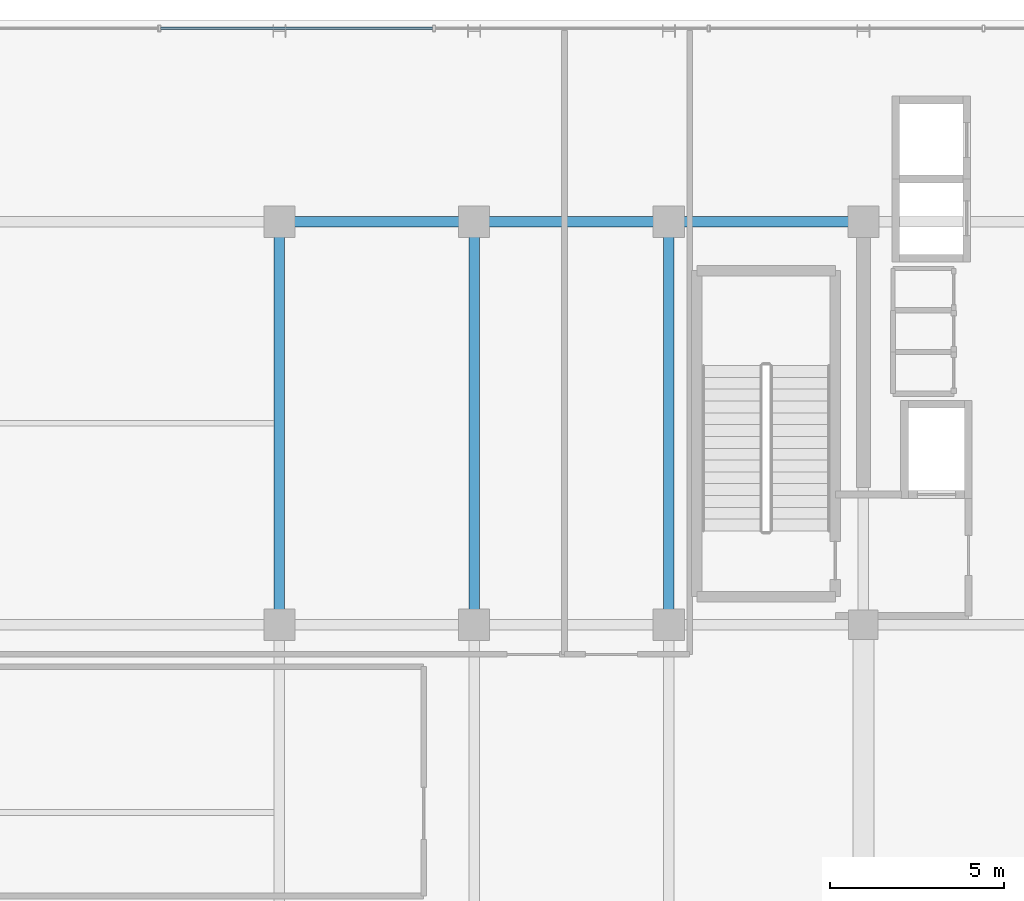
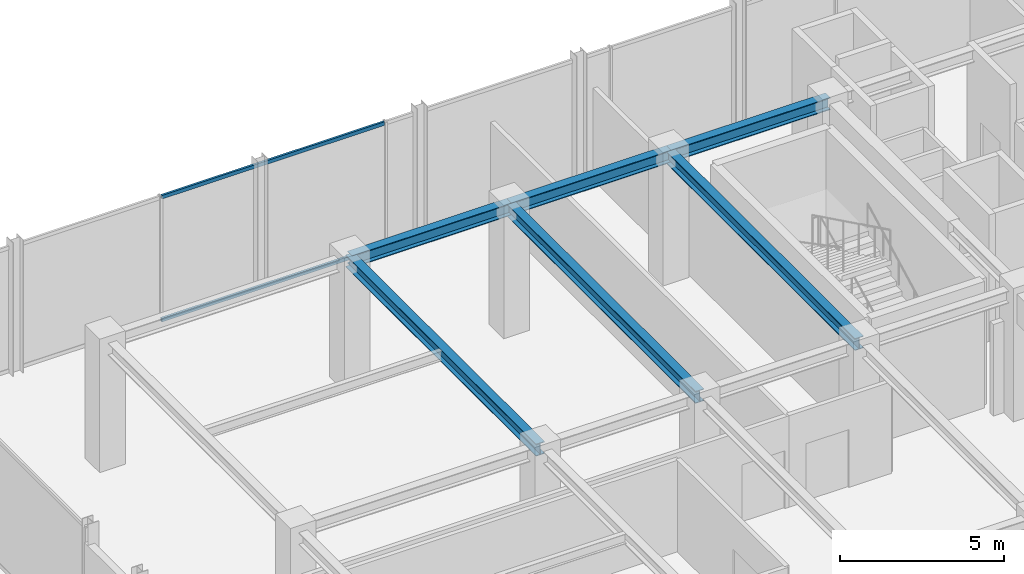
# One storey, part 18 of 28: 6 beams, 2 members, 1 element without a shape of its own.
"""IFC4 building model written with IfcOpenShell, lengths in metres."""

from ifc_helpers import new_model, si_unit, direction, frame, origin, origin_2d, place, context, subcontext, project, spatial, hollow_rectangle, i_section, extrude, source, transform, mapped, material, material_profile, profile_set, type_object, element, aggregate, save


model = new_model("IFC4")

# Units and contexts
model_context = context("Model", 3, precision=1e-05, world=origin(), true_north=direction((0.0, 1.0)))
body_context = subcontext(model_context, "Body", "Model", "MODEL_VIEW")
ifc_project = project(units=[si_unit("LENGTHUNIT", "METRE"), si_unit("AREAUNIT", "SQUARE_METRE"), si_unit("VOLUMEUNIT", "CUBIC_METRE"), si_unit("PLANEANGLEUNIT", "RADIAN"), si_unit("MASSUNIT", "GRAM", prefix="KILO")], contexts=[model_context])

# Site, building, storey
site_placement = place(None, origin())
site = spatial("IfcSite", under=ifc_project, at=site_placement, CompositionType="ELEMENT")
building_placement = place(site_placement, origin())
building = spatial("IfcBuilding", under=site, at=building_placement, Name="Nahalor Promenade Grand Hotel", CompositionType="ELEMENT")
storey_placement = place(building_placement, frame((0.0, 0.0, 352.050048828125)))
storey = spatial("IfcBuildingStorey", under=building, at=storey_placement, Name="L90", CompositionType="ELEMENT", Elevation=352.050048828125)

# Beams
ifc_material_1 = material(Name="Steel S355JR", Category="steel")
ifc_material_profile_1 = material_profile(ifc_material_1, i_section(OverallWidth=0.3, OverallDepth=0.45, WebThickness=0.014, FlangeThickness=0.026, at=origin_2d()), Name="HEB 450")
ifc_profile_set_1 = profile_set([ifc_material_profile_1], Name="Steel S355JR")
beam_type = type_object("IfcBeamType", Name="Beam-Girder-HEB450", PredefinedType="BEAM", material=ifc_profile_set_1)
shared_shape_1 = source(origin(), body_context, "Body", "SweptSolid", [
    extrude(i_section(OverallWidth=0.3, OverallDepth=0.45, WebThickness=0.014, FlangeThickness=0.026, at=origin_2d()), origin(), (0.0, 0.0, 1.0), 5.599853515625),
])
for number, where, z_axis, x_axis, name in (
    (1, (-8.39990234375, 17.0, 4.474853515625), (1.0, 0.0, 0.0), (0.0, 1.0, 0.0), "BM-L90-GX-3-1"),
    (2, (2.800048828125, 17.0, 4.474853515625), (1.0, 0.0, 0.0), (0.0, 1.0, 0.0), "BM-L90-GX-3-3"),
):
    element("IfcBeam", number, at=place(storey_placement, frame(where, z_axis=z_axis, x_axis=x_axis)), inside=storey, type_object=beam_type, Name=name, PredefinedType="BEAM", context=body_context, shape_type="MappedRepresentation", body=[
        mapped(shared_shape_1, transform((0.0, 0.0, 0.0), scale=1.0)),
    ])
shared_shape_2 = source(origin(), body_context, "Body", "SweptSolid", [
    extrude(i_section(OverallWidth=0.3, OverallDepth=0.45, WebThickness=0.014, FlangeThickness=0.026, at=origin_2d()), origin(), (0.0, 0.0, 1.0), 5.60009765625),
])
beam_placement = place(storey_placement, frame((-2.800048828125, 17.0, 4.474853515625), z_axis=(1.0, 0.0, 0.0), x_axis=(0.0, 1.0, 0.0)))
element("IfcBeam", 3, at=beam_placement, inside=storey, type_object=beam_type, Name="BM-L90-GX-3-2", PredefinedType="BEAM", context=body_context, shape_type="MappedRepresentation", body=[
    mapped(shared_shape_2, transform((0.0, 0.0, 0.0), scale=1.0)),
])
shared_shape_3 = source(origin(), body_context, "Body", "SweptSolid", [
    extrude(i_section(OverallWidth=0.3, OverallDepth=0.45, WebThickness=0.014, FlangeThickness=0.026, at=origin_2d()), origin(), (0.0, 0.0, 1.0), 11.60009765625),
])
for number, where, z_axis, x_axis, name in (
    (4, (-8.39990234375, 5.39990234375, 4.474853515625), (0.0, 1.0, 0.0), (-1.0, 0.0, 0.0), "BM-L90-GY-1-2"),
    (5, (-2.800048828125, 5.39990234375, 4.474853515625), (0.0, 1.0, 0.0), (-1.0, 0.0, 0.0), "BM-L90-GY-2-2"),
    (6, (2.800048828125, 5.39990234375, 4.474853515625), (0.0, 1.0, 0.0), (-1.0, 0.0, 0.0), "BM-L90-GY-3-2"),
):
    element("IfcBeam", number, at=place(storey_placement, frame(where, z_axis=z_axis, x_axis=x_axis)), inside=storey, type_object=beam_type, Name=name, PredefinedType="BEAM", context=body_context, shape_type="MappedRepresentation", body=[
        mapped(shared_shape_3, transform((0.0, 0.0, 0.0), scale=1.0)),
    ])

# Curtain wall, members
ifc_material_2 = material(Name="Anodised Bronze Aluminium EN AW-6063 T6", Category="aluminium")
curtain_wall_type = type_object("IfcCurtainWallType", Name="CW6 Crown Botanical Conservatory Curtain Wall", PredefinedType="USERDEFINED", material=ifc_material_2)
curtain_wall_placement = place(storey_placement, origin())
curtain_wall = element("IfcCurtainWall", 7, at=curtain_wall_placement, inside=storey, type_object=curtain_wall_type, Name="L90 Curtain Wall CW-L90-N-1", ObjectType="UNITISED_CURTAIN_WALL", PredefinedType="USERDEFINED")
ifc_material_profile_2 = material_profile(ifc_material_2, hollow_rectangle(XDim=0.075, YDim=0.135, WallThickness=0.004, at=origin_2d()), Name="CWT 75x135x4")
ifc_profile_set_2 = profile_set([ifc_material_profile_2], Name="Anodised Bronze Aluminium EN AW-6063 T6")
member_type = type_object("IfcMemberType", Name="CWT6 Conservatory Transom 75x135", PredefinedType="USERDEFINED", material=ifc_profile_set_2)
shared_shape_4 = source(origin(), body_context, "Body", "SweptSolid", [
    extrude(hollow_rectangle(XDim=0.075, YDim=0.135, WallThickness=0.004, at=origin_2d()), origin(), (0.0, 0.0, 1.0), 7.8291015625),
])
member_1_placement = place(storey_placement, frame((-11.818603515625, 22.56005859375, 0.0673828125), z_axis=(1.0, 0.0, 0.0), x_axis=(0.0, 1.0, 0.0)))
member_1 = element("IfcMember", 8, at=member_1_placement, type_object=member_type, Name="CW-L90-N-1 Transom 1-0", ObjectType="TRANSOM", PredefinedType="USERDEFINED", context=body_context, shape_type="MappedRepresentation", body=[
    mapped(shared_shape_4, transform((0.0, 0.0, 0.0), scale=1.0)),
])
member_2_placement = place(storey_placement, frame((-11.818603515625, 22.56005859375, 4.632568359375), z_axis=(1.0, 0.0, 0.0), x_axis=(0.0, 1.0, 0.0)))
member_2 = element("IfcMember", 9, at=member_2_placement, type_object=member_type, Name="CW-L90-N-1 Transom 1-1", ObjectType="TRANSOM", PredefinedType="USERDEFINED", context=body_context, shape_type="MappedRepresentation", body=[
    mapped(shared_shape_4, transform((0.0, 0.0, 0.0), scale=1.0)),
])
aggregate(curtain_wall, [member_1, member_2])

save(model, "model.ifc")
